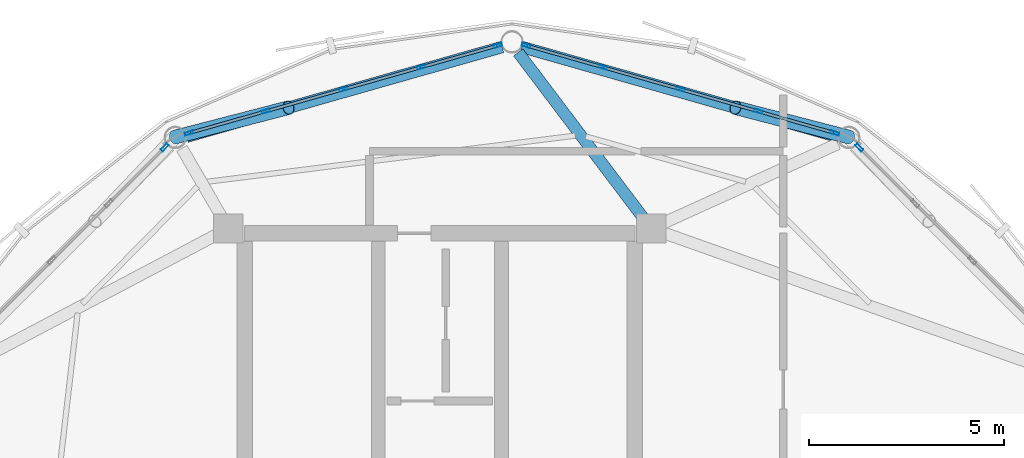
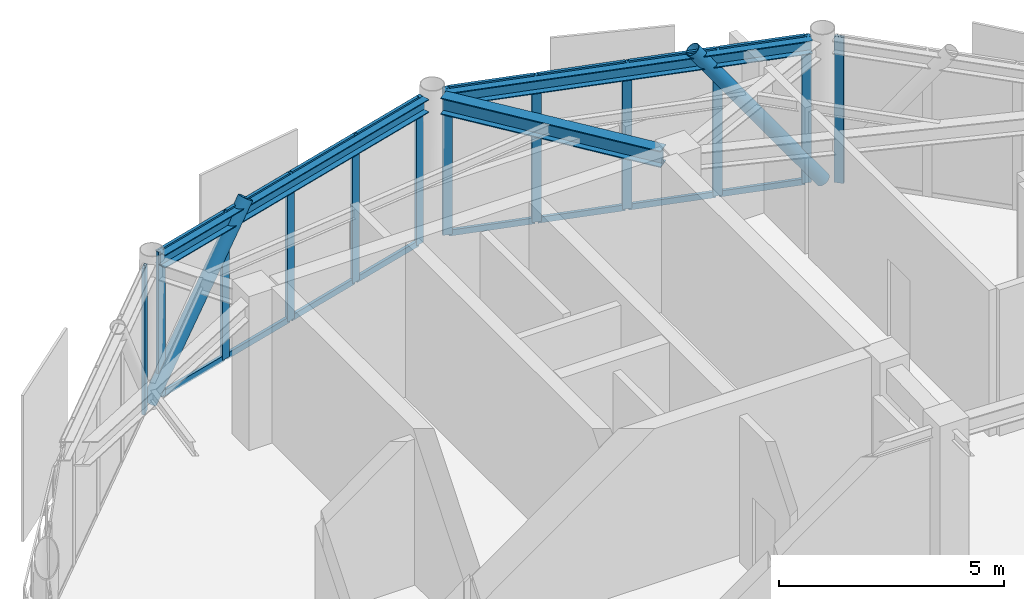
# One storey, part 14 of 20: 30 members, 3 beams, 4 elements without a shape of their own.
"""IFC4 building model written with IfcOpenShell, lengths in metres."""

from ifc_helpers import new_model, si_unit, direction, frame, origin, origin_2d, place, context, subcontext, project, spatial, hollow_rectangle, hollow_circle, i_section, extrude, material, layer, layer_set, material_profile, profile_set, type_object, element, aggregate, save


model = new_model("IFC4")

# Units and contexts
model_context = context("Model", 3, precision=1e-05, world=origin(), true_north=direction((0.0, 1.0)))
body_context = subcontext(model_context, "Body", "Model", "MODEL_VIEW")
ifc_project = project(units=[si_unit("LENGTHUNIT", "METRE"), si_unit("AREAUNIT", "SQUARE_METRE"), si_unit("VOLUMEUNIT", "CUBIC_METRE"), si_unit("PLANEANGLEUNIT", "RADIAN"), si_unit("MASSUNIT", "GRAM", prefix="KILO")], contexts=[model_context])

# Site, building, storey
site_placement = place(None, origin())
site = spatial("IfcSite", under=ifc_project, at=site_placement, CompositionType="ELEMENT")
building_placement = place(site_placement, origin())
building = spatial("IfcBuilding", under=site, at=building_placement, Name="Varnakorn Sky Granary", CompositionType="ELEMENT")
storey_placement = place(building_placement, frame((0.0, 0.0, 306.60009765625)))
storey = spatial("IfcBuildingStorey", under=building, at=storey_placement, Name="L78", CompositionType="ELEMENT", Elevation=306.60009765625)

# Beams
ifc_material_1 = material(Name="Steel S355JR", Category="steel")
ifc_material_profile_1 = material_profile(ifc_material_1, i_section(OverallWidth=0.300048828125, OverallDepth=0.449951171875, WebThickness=0.013916015625, FlangeThickness=0.02587890625, at=origin_2d()), Name="HE 450 B")
ifc_profile_set_1 = profile_set([ifc_material_profile_1], Name="Steel S355JR")
beam_type_1 = type_object("IfcBeamType", Name="BM-RAD-Z5", PredefinedType="BEAM", material=ifc_profile_set_1)
beam_placement = place(storey_placement, frame((8.205810546875, 12.9033203125, 3.73486328125), z_axis=(-0.602980328624, 0.797756055002, 0.0), x_axis=(-0.797756055002, -0.602980328624, 0.0)))
element("IfcBeam", 1, at=beam_placement, inside=storey, type_object=beam_type_1, Name="Radial Floor Girder RG04 L78", PredefinedType="BEAM", context=body_context, shape_type="SweptSolid", body=[
    extrude(i_section(OverallWidth=0.300048828125, OverallDepth=0.449951171875, WebThickness=0.013916015625, FlangeThickness=0.02587890625, at=origin_2d()), origin(), (0.0, 0.0, 1.0), 5.30078125),
])
ifc_material_profile_2 = material_profile(ifc_material_1, i_section(OverallWidth=0.300048828125, OverallDepth=0.360107421875, WebThickness=0.012451171875, FlangeThickness=0.0224609375, at=origin_2d()), Name="HE 360 B")
ifc_profile_set_2 = profile_set([ifc_material_profile_2], Name="Steel S355JR")
beam_type_2 = type_object("IfcBeamType", Name="BM-SPD-Z5", PredefinedType="SPANDREL", material=ifc_profile_set_2)
for number, where, z_axis, x_axis, name in (
    (2, (13.188720703125, 14.974853515625, 3.77978515625), (-0.961959045072, 0.273193696127, 0.0), (-0.273193696127, -0.961959045072, 0.0), "Perimeter Spandrel Ring Beam RB03 L78"),
    (3, (4.595703125, 17.270751953125, 3.77978515625), (-0.961959045072, -0.273193696127, 0.0), (0.273193696127, -0.961959045072, 0.0), "Perimeter Spandrel Ring Beam RB04 L78"),
):
    element("IfcBeam", number, at=place(storey_placement, frame(where, z_axis=z_axis, x_axis=x_axis)), inside=storey, type_object=beam_type_2, Name=name, PredefinedType="SPANDREL", context=body_context, shape_type="SweptSolid", body=[
        extrude(i_section(OverallWidth=0.300048828125, OverallDepth=0.360107421875, WebThickness=0.012451171875, FlangeThickness=0.0224609375, at=origin_2d()), origin(), (0.0, 0.0, 1.0), 8.40380859375),
    ])

# Curtain wall, member
ifc_material_2 = material(Name="Anodised Bronze Aluminium Alloy 6063-T6", Category="aluminium")
ifc_layer = layer(ifc_material_2, 0.22998046875, Name="Anodised Bronze Aluminium Alloy 6063-T6")
ifc_layer_set = layer_set([ifc_layer], Name="Anodised Bronze Aluminium Alloy 6063-T6")
curtain_wall_type = type_object("IfcCurtainWallType", Name="CW-LNT-1", PredefinedType="USERDEFINED", material=ifc_layer_set)
curtain_wall_1_placement = place(storey_placement, origin())
curtain_wall_1 = element("IfcCurtainWall", 4, at=curtain_wall_1_placement, inside=storey, type_object=curtain_wall_type, Name="Unitised Curtain Wall CW7 CW-L78-B02", ObjectType="CURTAIN WALL", PredefinedType="USERDEFINED")
ifc_material_profile_3 = material_profile(ifc_material_2, hollow_rectangle(XDim=0.074951171875, YDim=0.219970703125, WallThickness=0.00390625, at=origin_2d()), Name="ALU MULL 75x220")
ifc_profile_set_3 = profile_set([ifc_material_profile_3], Name="Anodised Bronze Aluminium Alloy 6063-T6")
member_type_1 = type_object("IfcMemberType", Name="CW-LNT-1-MULL", PredefinedType="MULLION", material=ifc_profile_set_3)
member_1_placement = place(storey_placement, frame((13.75244140625, 14.697509765625, 0.0), z_axis=(0.0, 0.0, 1.0), x_axis=(0.707251982619, 0.706961549932, 0.0)))
member_1 = element("IfcMember", 5, at=member_1_placement, type_object=member_type_1, Name="CW7 mullion 1", PredefinedType="MULLION", context=body_context, shape_type="SweptSolid", body=[
    extrude(hollow_rectangle(XDim=0.074951171875, YDim=0.219970703125, WallThickness=0.00390625, at=origin_2d()), origin(), (0.0, 0.0, 1.0), 3.9599609375),
])
aggregate(curtain_wall_1, [member_1])

# Curtain wall, members
curtain_wall_2_placement = place(storey_placement, origin())
curtain_wall_2 = element("IfcCurtainWall", 6, at=curtain_wall_2_placement, inside=storey, type_object=curtain_wall_type, Name="Unitised Curtain Wall CW7 CW-L78-B03", ObjectType="CURTAIN WALL", PredefinedType="USERDEFINED")
member_2_placement = place(storey_placement, frame((5.212646484375, 17.31103515625, 0.0), z_axis=(0.0, 0.0, 1.0), x_axis=(0.272904510897, 0.962041125905, 0.0)))
member_2 = element("IfcMember", 7, at=member_2_placement, type_object=member_type_1, Name="CW7 mullion 1", PredefinedType="MULLION", context=body_context, shape_type="SweptSolid", body=[
    extrude(hollow_rectangle(XDim=0.074951171875, YDim=0.219970703125, WallThickness=0.00390625, at=origin_2d()), origin(), (0.0, 0.0, 1.0), 3.9599609375),
])
member_3_placement = place(storey_placement, frame((7.17236328125, 16.755126953125, 0.0), z_axis=(0.0, 0.0, 1.0), x_axis=(0.272904510897, 0.962041125905, 0.0)))
member_3 = element("IfcMember", 8, at=member_3_placement, type_object=member_type_1, Name="CW7 mullion 2", PredefinedType="MULLION", context=body_context, shape_type="SweptSolid", body=[
    extrude(hollow_rectangle(XDim=0.074951171875, YDim=0.219970703125, WallThickness=0.00390625, at=origin_2d()), origin(), (0.0, 0.0, 1.0), 3.9599609375),
])
member_4_placement = place(storey_placement, frame((9.16796875, 16.18896484375, 0.0), z_axis=(0.0, 0.0, 1.0), x_axis=(0.272904510897, 0.962041125905, 0.0)))
member_4 = element("IfcMember", 9, at=member_4_placement, type_object=member_type_1, Name="CW7 mullion 3", PredefinedType="MULLION", context=body_context, shape_type="SweptSolid", body=[
    extrude(hollow_rectangle(XDim=0.074951171875, YDim=0.219970703125, WallThickness=0.00390625, at=origin_2d()), origin(), (0.0, 0.0, 1.0), 3.9599609375),
])
member_5_placement = place(storey_placement, frame((11.163818359375, 15.623046875, 0.0), z_axis=(0.0, 0.0, 1.0), x_axis=(0.272904510897, 0.962041125905, 0.0)))
member_5 = element("IfcMember", 10, at=member_5_placement, type_object=member_type_1, Name="CW7 mullion 4", PredefinedType="MULLION", context=body_context, shape_type="SweptSolid", body=[
    extrude(hollow_rectangle(XDim=0.074951171875, YDim=0.219970703125, WallThickness=0.00390625, at=origin_2d()), origin(), (0.0, 0.0, 1.0), 3.9599609375),
])
member_6_placement = place(storey_placement, frame((13.123291015625, 15.067138671875, 0.0), z_axis=(0.0, 0.0, 1.0), x_axis=(0.272904510897, 0.962041125905, 0.0)))
member_6 = element("IfcMember", 11, at=member_6_placement, type_object=member_type_1, Name="CW7 mullion 5", PredefinedType="MULLION", context=body_context, shape_type="SweptSolid", body=[
    extrude(hollow_rectangle(XDim=0.074951171875, YDim=0.219970703125, WallThickness=0.00390625, at=origin_2d()), origin(), (0.0, 0.0, 1.0), 3.9599609375),
])

curtain_wall_3_placement = place(storey_placement, origin())
curtain_wall_3 = element("IfcCurtainWall", 12, at=curtain_wall_3_placement, inside=storey, type_object=curtain_wall_type, Name="Unitised Curtain Wall CW7 CW-L78-B04", ObjectType="CURTAIN WALL", PredefinedType="USERDEFINED")
member_7_placement = place(storey_placement, frame((-3.42333984375, 15.067138671875, 0.0), z_axis=(0.0, 0.0, 1.0), x_axis=(-0.272904510897, 0.962041125905, 0.0)))
member_7 = element("IfcMember", 13, at=member_7_placement, type_object=member_type_1, Name="CW7 mullion 1", PredefinedType="MULLION", context=body_context, shape_type="SweptSolid", body=[
    extrude(hollow_rectangle(XDim=0.074951171875, YDim=0.219970703125, WallThickness=0.00390625, at=origin_2d()), origin(), (0.0, 0.0, 1.0), 3.9599609375),
])
member_8_placement = place(storey_placement, frame((-1.463623046875, 15.623046875, 0.0), z_axis=(0.0, 0.0, 1.0), x_axis=(-0.272904510897, 0.962041125905, 0.0)))
member_8 = element("IfcMember", 14, at=member_8_placement, type_object=member_type_1, Name="CW7 mullion 2", PredefinedType="MULLION", context=body_context, shape_type="SweptSolid", body=[
    extrude(hollow_rectangle(XDim=0.074951171875, YDim=0.219970703125, WallThickness=0.00390625, at=origin_2d()), origin(), (0.0, 0.0, 1.0), 3.9599609375),
])
member_9_placement = place(storey_placement, frame((0.531982421875, 16.18896484375, 0.0), z_axis=(0.0, 0.0, 1.0), x_axis=(-0.272904510897, 0.962041125905, 0.0)))
member_9 = element("IfcMember", 15, at=member_9_placement, type_object=member_type_1, Name="CW7 mullion 3", PredefinedType="MULLION", context=body_context, shape_type="SweptSolid", body=[
    extrude(hollow_rectangle(XDim=0.074951171875, YDim=0.219970703125, WallThickness=0.00390625, at=origin_2d()), origin(), (0.0, 0.0, 1.0), 3.9599609375),
])
member_10_placement = place(storey_placement, frame((2.527587890625, 16.755126953125, 0.0), z_axis=(0.0, 0.0, 1.0), x_axis=(-0.272904510897, 0.962041125905, 0.0)))
member_10 = element("IfcMember", 16, at=member_10_placement, type_object=member_type_1, Name="CW7 mullion 4", PredefinedType="MULLION", context=body_context, shape_type="SweptSolid", body=[
    extrude(hollow_rectangle(XDim=0.074951171875, YDim=0.219970703125, WallThickness=0.00390625, at=origin_2d()), origin(), (0.0, 0.0, 1.0), 3.9599609375),
])
member_11_placement = place(storey_placement, frame((4.4873046875, 17.31103515625, 0.0), z_axis=(0.0, 0.0, 1.0), x_axis=(-0.272904510897, 0.962041125905, 0.0)))
member_11 = element("IfcMember", 17, at=member_11_placement, type_object=member_type_1, Name="CW7 mullion 5", PredefinedType="MULLION", context=body_context, shape_type="SweptSolid", body=[
    extrude(hollow_rectangle(XDim=0.074951171875, YDim=0.219970703125, WallThickness=0.00390625, at=origin_2d()), origin(), (0.0, 0.0, 1.0), 3.9599609375),
])

# Curtain wall, member
curtain_wall_4_placement = place(storey_placement, origin())
curtain_wall_4 = element("IfcCurtainWall", 18, at=curtain_wall_4_placement, inside=storey, type_object=curtain_wall_type, Name="Unitised Curtain Wall CW7 CW-L78-B05", ObjectType="CURTAIN WALL", PredefinedType="USERDEFINED")
member_12_placement = place(storey_placement, frame((-4.052490234375, 14.697509765625, 0.0), z_axis=(0.0, 0.0, 1.0), x_axis=(-0.707251982619, 0.706961549932, 0.0)))
member_12 = element("IfcMember", 19, at=member_12_placement, type_object=member_type_1, Name="CW7 mullion 5", PredefinedType="MULLION", context=body_context, shape_type="SweptSolid", body=[
    extrude(hollow_rectangle(XDim=0.074951171875, YDim=0.219970703125, WallThickness=0.00390625, at=origin_2d()), origin(), (0.0, 0.0, 1.0), 3.9599609375),
])
aggregate(curtain_wall_4, [member_12])

# Member
ifc_material_profile_4 = material_profile(ifc_material_2, hollow_rectangle(XDim=0.074951171875, YDim=0.159912109375, WallThickness=0.00390625, at=origin_2d()), Name="ALU TRAN 75x160")
ifc_profile_set_4 = profile_set([ifc_material_profile_4], Name="Anodised Bronze Aluminium Alloy 6063-T6")
member_type_2 = type_object("IfcMemberType", Name="CW-LNT-1-TRAN", PredefinedType="USERDEFINED", material=ifc_profile_set_4)
member_13_placement = place(storey_placement, frame((5.248779296875, 17.30078125, 0.037353515625), z_axis=(0.962043455015, -0.2728963002, 0.0), x_axis=(0.2728963002, 0.962043455015, 0.0)))
member_13 = element("IfcMember", 20, at=member_13_placement, type_object=member_type_2, Name="CW7 transom 1.1", ObjectType="TRANSOM", PredefinedType="USERDEFINED", context=body_context, shape_type="SweptSolid", body=[
    extrude(hollow_rectangle(XDim=0.074951171875, YDim=0.159912109375, WallThickness=0.00390625, at=origin_2d()), origin(), (0.0, 0.0, 1.0), 1.9619140625),
])

member_14_placement = place(storey_placement, frame((5.248779296875, 17.30078125, 3.92236328125), z_axis=(0.962043455015, -0.2728963002, 0.0), x_axis=(0.2728963002, 0.962043455015, 0.0)))
member_14 = element("IfcMember", 21, at=member_14_placement, type_object=member_type_2, Name="CW7 transom 1.2", ObjectType="TRANSOM", PredefinedType="USERDEFINED", context=body_context, shape_type="SweptSolid", body=[
    extrude(hollow_rectangle(XDim=0.074951171875, YDim=0.159912109375, WallThickness=0.00390625, at=origin_2d()), origin(), (0.0, 0.0, 1.0), 1.9619140625),
])

member_15_placement = place(storey_placement, frame((7.20849609375, 16.744873046875, 0.037353515625), z_axis=(0.962033787822, -0.272930377733, 0.0), x_axis=(0.272930377733, 0.962033787822, 0.0)))
member_15 = element("IfcMember", 22, at=member_15_placement, type_object=member_type_2, Name="CW7 transom 2.1", ObjectType="TRANSOM", PredefinedType="USERDEFINED", context=body_context, shape_type="SweptSolid", body=[
    extrude(hollow_rectangle(XDim=0.074951171875, YDim=0.159912109375, WallThickness=0.00390625, at=origin_2d()), origin(), (0.0, 0.0, 1.0), 1.999267578125),
])

member_16_placement = place(storey_placement, frame((7.20849609375, 16.744873046875, 3.92236328125), z_axis=(0.962033787822, -0.272930377733, 0.0), x_axis=(0.272930377733, 0.962033787822, 0.0)))
member_16 = element("IfcMember", 23, at=member_16_placement, type_object=member_type_2, Name="CW7 transom 2.2", ObjectType="TRANSOM", PredefinedType="USERDEFINED", context=body_context, shape_type="SweptSolid", body=[
    extrude(hollow_rectangle(XDim=0.074951171875, YDim=0.159912109375, WallThickness=0.00390625, at=origin_2d()), origin(), (0.0, 0.0, 1.0), 1.999267578125),
])

member_17_placement = place(storey_placement, frame((9.2041015625, 16.1787109375, 0.037353515625), z_axis=(0.962042882798, -0.272898317433, 0.0), x_axis=(0.272898317433, 0.962042882798, 0.0)))
member_17 = element("IfcMember", 24, at=member_17_placement, type_object=member_type_2, Name="CW7 transom 3.1", ObjectType="TRANSOM", PredefinedType="USERDEFINED", context=body_context, shape_type="SweptSolid", body=[
    extrude(hollow_rectangle(XDim=0.074951171875, YDim=0.159912109375, WallThickness=0.00390625, at=origin_2d()), origin(), (0.0, 0.0, 1.0), 1.99951171875),
])

member_18_placement = place(storey_placement, frame((9.2041015625, 16.1787109375, 3.92236328125), z_axis=(0.962042882798, -0.272898317433, 0.0), x_axis=(0.272898317433, 0.962042882798, 0.0)))
member_18 = element("IfcMember", 25, at=member_18_placement, type_object=member_type_2, Name="CW7 transom 3.2", ObjectType="TRANSOM", PredefinedType="USERDEFINED", context=body_context, shape_type="SweptSolid", body=[
    extrude(hollow_rectangle(XDim=0.074951171875, YDim=0.159912109375, WallThickness=0.00390625, at=origin_2d()), origin(), (0.0, 0.0, 1.0), 1.99951171875),
])

member_19_placement = place(storey_placement, frame((11.19970703125, 15.61279296875, 0.037353515625), z_axis=(0.962010779064, -0.273011466727, 0.0), x_axis=(0.273011466727, 0.962010779064, 0.0)))
member_19 = element("IfcMember", 26, at=member_19_placement, type_object=member_type_2, Name="CW7 transom 4.1", ObjectType="TRANSOM", PredefinedType="USERDEFINED", context=body_context, shape_type="SweptSolid", body=[
    extrude(hollow_rectangle(XDim=0.074951171875, YDim=0.159912109375, WallThickness=0.00390625, at=origin_2d()), origin(), (0.0, 0.0, 1.0), 1.9619140625),
])

member_20_placement = place(storey_placement, frame((11.19970703125, 15.61279296875, 3.92236328125), z_axis=(0.962010779064, -0.273011466727, 0.0), x_axis=(0.273011466727, 0.962010779064, 0.0)))
member_20 = element("IfcMember", 27, at=member_20_placement, type_object=member_type_2, Name="CW7 transom 4.2", ObjectType="TRANSOM", PredefinedType="USERDEFINED", context=body_context, shape_type="SweptSolid", body=[
    extrude(hollow_rectangle(XDim=0.074951171875, YDim=0.159912109375, WallThickness=0.00390625, at=origin_2d()), origin(), (0.0, 0.0, 1.0), 1.9619140625),
])

aggregate(curtain_wall_2, [member_2, member_3, member_4, member_5, member_6, member_13, member_14, member_15, member_16, member_17, member_18, member_19, member_20])

member_21_placement = place(storey_placement, frame((-3.38720703125, 15.0771484375, 0.037353515625), z_axis=(0.962010779064, 0.273011466727, 0.0), x_axis=(-0.273011466727, 0.962010779064, 0.0)))
member_21 = element("IfcMember", 28, at=member_21_placement, type_object=member_type_2, Name="CW7 transom 1.1", ObjectType="TRANSOM", PredefinedType="USERDEFINED", context=body_context, shape_type="SweptSolid", body=[
    extrude(hollow_rectangle(XDim=0.074951171875, YDim=0.159912109375, WallThickness=0.00390625, at=origin_2d()), origin(), (0.0, 0.0, 1.0), 1.9619140625),
])

member_22_placement = place(storey_placement, frame((-3.38720703125, 15.0771484375, 3.92236328125), z_axis=(0.962010779064, 0.273011466727, 0.0), x_axis=(-0.273011466727, 0.962010779064, 0.0)))
member_22 = element("IfcMember", 29, at=member_22_placement, type_object=member_type_2, Name="CW7 transom 1.2", ObjectType="TRANSOM", PredefinedType="USERDEFINED", context=body_context, shape_type="SweptSolid", body=[
    extrude(hollow_rectangle(XDim=0.074951171875, YDim=0.159912109375, WallThickness=0.00390625, at=origin_2d()), origin(), (0.0, 0.0, 1.0), 1.9619140625),
])

member_23_placement = place(storey_placement, frame((-1.427734375, 15.633056640625, 0.037353515625), z_axis=(0.962042882798, 0.272898317433, 0.0), x_axis=(-0.272898317433, 0.962042882798, 0.0)))
member_23 = element("IfcMember", 30, at=member_23_placement, type_object=member_type_2, Name="CW7 transom 2.1", ObjectType="TRANSOM", PredefinedType="USERDEFINED", context=body_context, shape_type="SweptSolid", body=[
    extrude(hollow_rectangle(XDim=0.074951171875, YDim=0.159912109375, WallThickness=0.00390625, at=origin_2d()), origin(), (0.0, 0.0, 1.0), 1.99951171875),
])

member_24_placement = place(storey_placement, frame((-1.427734375, 15.633056640625, 3.92236328125), z_axis=(0.962042882798, 0.272898317433, 0.0), x_axis=(-0.272898317433, 0.962042882798, 0.0)))
member_24 = element("IfcMember", 31, at=member_24_placement, type_object=member_type_2, Name="CW7 transom 2.2", ObjectType="TRANSOM", PredefinedType="USERDEFINED", context=body_context, shape_type="SweptSolid", body=[
    extrude(hollow_rectangle(XDim=0.074951171875, YDim=0.159912109375, WallThickness=0.00390625, at=origin_2d()), origin(), (0.0, 0.0, 1.0), 1.99951171875),
])

member_25_placement = place(storey_placement, frame((0.568115234375, 16.19921875, 0.037353515625), z_axis=(0.962042882798, 0.272898317433, 0.0), x_axis=(-0.272898317433, 0.962042882798, 0.0)))
member_25 = element("IfcMember", 32, at=member_25_placement, type_object=member_type_2, Name="CW7 transom 3.1", ObjectType="TRANSOM", PredefinedType="USERDEFINED", context=body_context, shape_type="SweptSolid", body=[
    extrude(hollow_rectangle(XDim=0.074951171875, YDim=0.159912109375, WallThickness=0.00390625, at=origin_2d()), origin(), (0.0, 0.0, 1.0), 1.99951171875),
])

member_26_placement = place(storey_placement, frame((0.568115234375, 16.19921875, 3.92236328125), z_axis=(0.962042882798, 0.272898317433, 0.0), x_axis=(-0.272898317433, 0.962042882798, 0.0)))
member_26 = element("IfcMember", 33, at=member_26_placement, type_object=member_type_2, Name="CW7 transom 3.2", ObjectType="TRANSOM", PredefinedType="USERDEFINED", context=body_context, shape_type="SweptSolid", body=[
    extrude(hollow_rectangle(XDim=0.074951171875, YDim=0.159912109375, WallThickness=0.00390625, at=origin_2d()), origin(), (0.0, 0.0, 1.0), 1.99951171875),
])

member_27_placement = place(storey_placement, frame((2.563720703125, 16.765380859375, 0.037353515625), z_axis=(0.962043455015, 0.2728963002, 0.0), x_axis=(-0.2728963002, 0.962043455015, 0.0)))
member_27 = element("IfcMember", 34, at=member_27_placement, type_object=member_type_2, Name="CW7 transom 4.1", ObjectType="TRANSOM", PredefinedType="USERDEFINED", context=body_context, shape_type="SweptSolid", body=[
    extrude(hollow_rectangle(XDim=0.074951171875, YDim=0.159912109375, WallThickness=0.00390625, at=origin_2d()), origin(), (0.0, 0.0, 1.0), 1.9619140625),
])

member_28_placement = place(storey_placement, frame((2.563720703125, 16.765380859375, 3.92236328125), z_axis=(0.962043455015, 0.2728963002, 0.0), x_axis=(-0.2728963002, 0.962043455015, 0.0)))
member_28 = element("IfcMember", 35, at=member_28_placement, type_object=member_type_2, Name="CW7 transom 4.2", ObjectType="TRANSOM", PredefinedType="USERDEFINED", context=body_context, shape_type="SweptSolid", body=[
    extrude(hollow_rectangle(XDim=0.074951171875, YDim=0.159912109375, WallThickness=0.00390625, at=origin_2d()), origin(), (0.0, 0.0, 1.0), 1.9619140625),
])

aggregate(curtain_wall_3, [member_7, member_8, member_9, member_10, member_11, member_21, member_22, member_23, member_24, member_25, member_26, member_27, member_28])

# Members
ifc_material_3 = material(Name="Steel S460M", Category="steel")
ifc_material_profile_5 = material_profile(ifc_material_3, hollow_circle(Radius=0.177734375, WallThickness=0.01416015625, at=origin_2d()), Name="CHS 355.6x14")
ifc_profile_set_5 = profile_set([ifc_material_profile_5], Name="Steel S460M")
member_type_3 = type_object("IfcMemberType", Name="MB-DIAG-T5", PredefinedType="BRACE", material=ifc_profile_set_5)
for number, where, z_axis, x_axis, name in (
    (36, (13.486083984375, 14.964111328125, 0.0), (-0.573011700807, 0.148196829162, 0.806036779908), (-0.250389390819, -0.968145212747, 0.0), "Perimeter CHS Diagrid Brace DG03 L78"),
    (37, (-3.785888671875, 14.964111328125, 0.0), (0.572979382092, 0.148200915086, 0.806059003091), (-0.250409099369, 0.968140115352, 0.0), "Perimeter CHS Diagrid Brace DG04 L78"),
):
    element("IfcMember", number, at=place(storey_placement, frame(where, z_axis=z_axis, x_axis=x_axis)), inside=storey, type_object=member_type_3, Name=name, PredefinedType="BRACE", context=body_context, shape_type="SweptSolid", body=[
        extrude(hollow_circle(Radius=0.177734375, WallThickness=0.01416015625, at=origin_2d()), origin(), (0.0, 0.0, 1.0), 5.073974609375),
    ])

save(model, "model.ifc")
